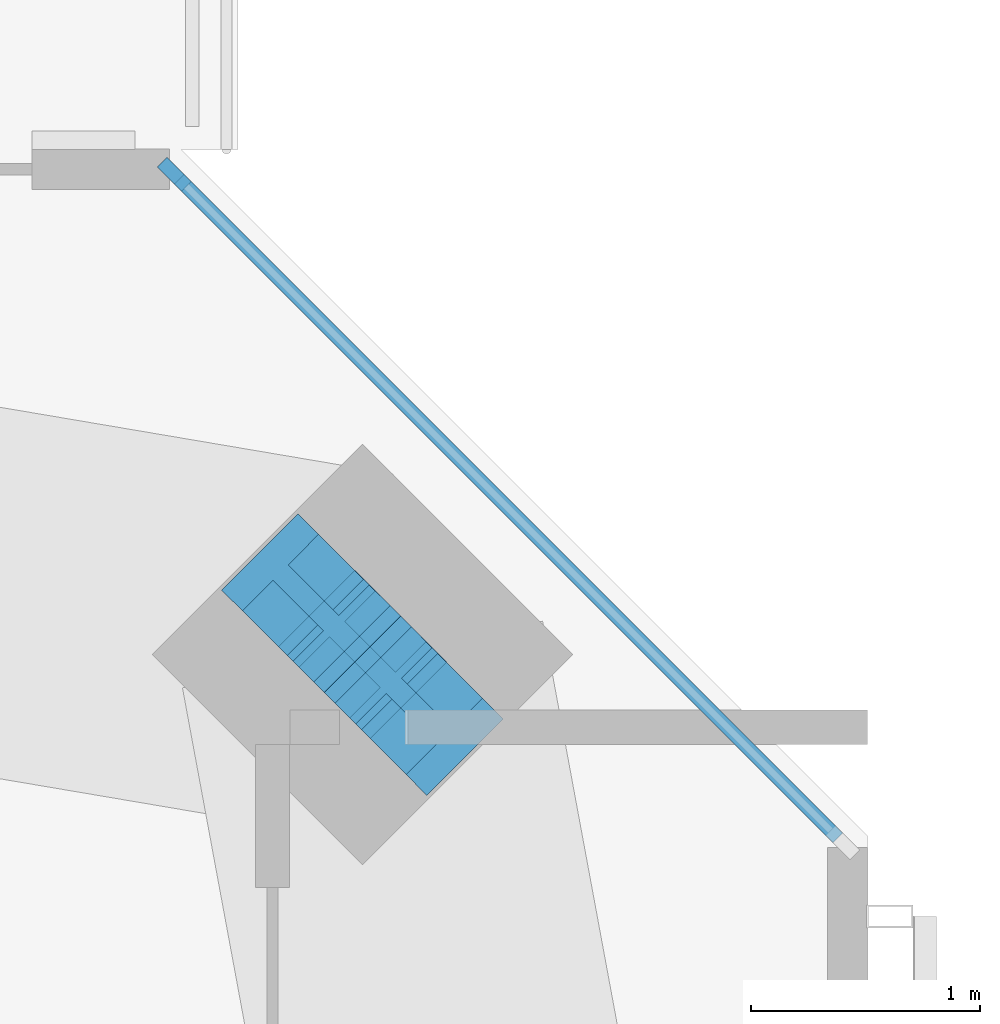
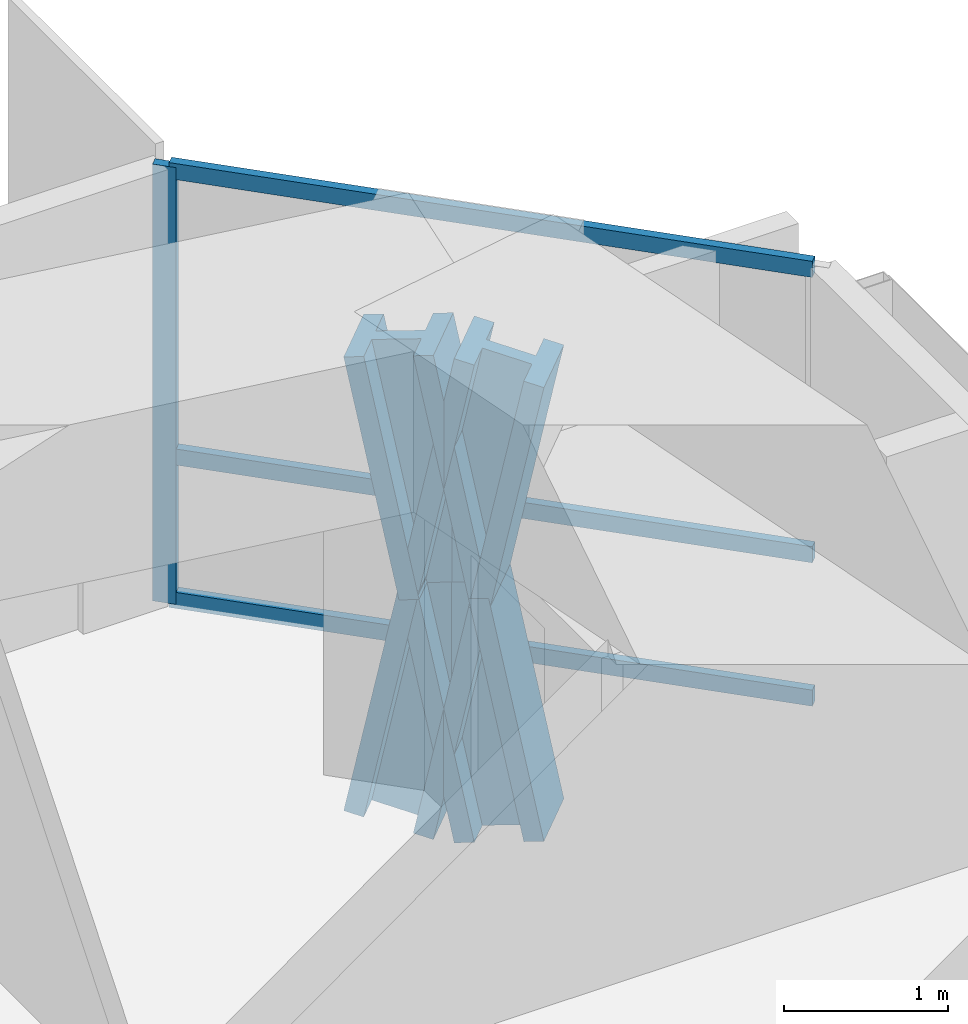
# One storey, part 11 of 18: 8 members, 1 element without a shape of its own.
"""IFC4 building model written with IfcOpenShell, lengths in metres."""

from ifc_helpers import new_model, si_unit, direction, frame, origin, origin_2d, place, context, subcontext, project, spatial, rectangle, i_section, extrude, material, material_profile, profile_set, type_object, element, aggregate, save


model = new_model("IFC4")

# Units and contexts
model_context = context("Model", 3, precision=1e-05, world=origin(), true_north=direction((0.0, 1.0)))
body_context = subcontext(model_context, "Body", "Model", "MODEL_VIEW")
ifc_project = project(units=[si_unit("LENGTHUNIT", "METRE"), si_unit("AREAUNIT", "SQUARE_METRE"), si_unit("VOLUMEUNIT", "CUBIC_METRE"), si_unit("PLANEANGLEUNIT", "RADIAN"), si_unit("MASSUNIT", "GRAM", prefix="KILO")], contexts=[model_context])

# Site, building, storey
site_placement = place(None, origin())
site = spatial("IfcSite", under=ifc_project, at=site_placement, CompositionType="ELEMENT")
building_placement = place(site_placement, origin())
building = spatial("IfcBuilding", under=site, at=building_placement, Name="Jalousie Tower", CompositionType="ELEMENT")
storey_placement = place(building_placement, frame((0.0, 0.0, 252.949951171875)))
storey = spatial("IfcBuildingStorey", under=building, at=storey_placement, Name="L69", CompositionType="ELEMENT", Elevation=252.949951171875)

# Curtain wall, members
ifc_material_1 = material(Name="Aluminium curtain wall", Category="aluminium")
curtain_wall_type = type_object("IfcCurtainWallType", Name="CORNER WINDOW WALL", PredefinedType="USERDEFINED", material=ifc_material_1)
curtain_wall_placement = place(storey_placement, origin())
curtain_wall = element("IfcCurtainWall", 1, at=curtain_wall_placement, inside=storey, type_object=curtain_wall_type, Name="Corner Window Wall L69 4", ObjectType="CORNER WINDOW WALL", PredefinedType="USERDEFINED")
ifc_material_2 = material(Name="Aluminium mullion", Category="aluminium")
ifc_material_profile_1 = material_profile(ifc_material_2, rectangle(XDim=0.06005859375, YDim=0.14990234375, at=origin_2d()), Name="MULLION 60x150")
ifc_profile_set_1 = profile_set([ifc_material_profile_1], Name="Aluminium mullion")
member_type_1 = type_object("IfcMemberType", Name="CORNER WINDOW WALL MULLION", PredefinedType="MULLION", material=ifc_profile_set_1)
member_1_placement = place(storey_placement, frame((53.469970703125, 33.891357421875, 0.0), z_axis=(0.0, 0.0, 1.0), x_axis=(-0.707106781187, -0.707106781187, 0.0)))
member_1 = element("IfcMember", 2, at=member_1_placement, type_object=member_type_1, Name="CW-C mullion 2", PredefinedType="MULLION", context=body_context, shape_type="SweptSolid", body=[
    extrude(rectangle(XDim=0.06005859375, YDim=0.14990234375, at=origin_2d()), origin(), (0.0, 0.0, 1.0), 3.260009765625),
])
ifc_material_3 = material(Name="Aluminium transom", Category="aluminium")
ifc_material_profile_2 = material_profile(ifc_material_3, rectangle(XDim=0.06005859375, YDim=0.1201171875, at=origin_2d()), Name="TRANSOM 60x120")
ifc_profile_set_2 = profile_set([ifc_material_profile_2], Name="Aluminium transom")
member_type_2 = type_object("IfcMemberType", Name="CORNER WINDOW WALL TRANSOM", PredefinedType="USERDEFINED", material=ifc_profile_set_2)
member_2_placement = place(storey_placement, frame((56.3701171875, 30.9912109375, 0.030029296875), z_axis=(-0.707106781187, 0.707106781187, 0.0), x_axis=(-0.707106781187, -0.707106781187, 0.0)))
member_2 = element("IfcMember", 3, at=member_2_placement, type_object=member_type_2, Name="CW-C transom 1.1", ObjectType="TRANSOM", PredefinedType="USERDEFINED", context=body_context, shape_type="SweptSolid", body=[
    extrude(rectangle(XDim=0.06005859375, YDim=0.1201171875, at=origin_2d()), origin(), (0.0, 0.0, 1.0), 4.0712890625),
])
member_3_placement = place(storey_placement, frame((56.3701171875, 30.9912109375, 1.10009765625), z_axis=(-0.707106781187, 0.707106781187, 0.0), x_axis=(-0.707106781187, -0.707106781187, 0.0)))
member_3 = element("IfcMember", 4, at=member_3_placement, type_object=member_type_2, Name="CW-C transom 1.2", ObjectType="TRANSOM", PredefinedType="USERDEFINED", context=body_context, shape_type="SweptSolid", body=[
    extrude(rectangle(XDim=0.06005859375, YDim=0.1201171875, at=origin_2d()), origin(), (0.0, 0.0, 1.0), 4.0712890625),
])
member_4_placement = place(storey_placement, frame((56.3701171875, 30.9912109375, 3.22998046875), z_axis=(-0.707106781187, 0.707106781187, 0.0), x_axis=(-0.707106781187, -0.707106781187, 0.0)))
member_4 = element("IfcMember", 5, at=member_4_placement, type_object=member_type_2, Name="CW-C transom 1.3", ObjectType="TRANSOM", PredefinedType="USERDEFINED", context=body_context, shape_type="SweptSolid", body=[
    extrude(rectangle(XDim=0.06005859375, YDim=0.1201171875, at=origin_2d()), origin(), (0.0, 0.0, 1.0), 4.0712890625),
])
aggregate(curtain_wall, [member_1, member_2, member_3, member_4])

# Members
ifc_material_4 = material(Name="Steel ASTM A992 Grade 50", Category="steel")
ifc_material_profile_3 = material_profile(ifc_material_4, i_section(OverallWidth=0.472412109375, OverallDepth=0.5791015625, WebThickness=0.094970703125, FlangeThickness=0.1298828125, at=origin_2d()), Name="W14X808")
ifc_profile_set_3 = profile_set([ifc_material_profile_3], Name="Steel ASTM A992 Grade 50")
member_type_3 = type_object("IfcMemberType", Name="PERIMETER BRACE W14X808", PredefinedType="BRACE", material=ifc_profile_set_3)
for number, where, z_axis, x_axis, name in (
    (6, (54.540283203125, 31.54541015625, -0.599853515625), (-0.138579250682, 0.138716051522, 0.980588419435), (-0.707455539091, -0.706757851183, 0.0), "Perimeter brace 08 L69 part 1"),
    (7, (54.29296875, 31.79296875, 1.150146484375), (-0.138716051522, 0.138579250682, 0.980588419435), (-0.706757851183, -0.707455539091, 0.0), "Perimeter brace 08 L69 part 2"),
    (8, (54.04541015625, 32.040283203125, -0.599853515625), (0.138716051522, -0.138579250682, 0.980588419435), (0.706757851183, 0.707455539091, 0.0), "Perimeter brace 08 L69 part 3"),
    (9, (54.29296875, 31.79296875, 1.150146484375), (0.138579250682, -0.138716051522, 0.980588419435), (0.707455539091, 0.706757851183, 0.0), "Perimeter brace 08 L69 part 4"),
):
    element("IfcMember", number, at=place(storey_placement, frame(where, z_axis=z_axis, x_axis=x_axis)), inside=storey, type_object=member_type_3, Name=name, PredefinedType="BRACE", context=body_context, shape_type="SweptSolid", body=[
        extrude(i_section(OverallWidth=0.472412109375, OverallDepth=0.5791015625, WebThickness=0.094970703125, FlangeThickness=0.1298828125, at=origin_2d()), origin(), (0.0, 0.0, 1.0), 1.78466796875),
    ])

save(model, "model.ifc")
